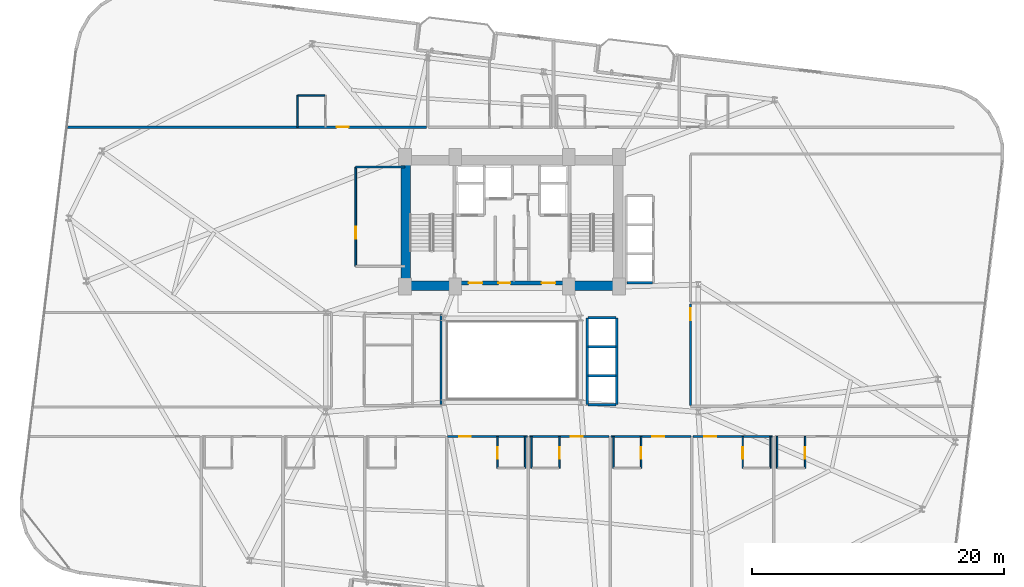
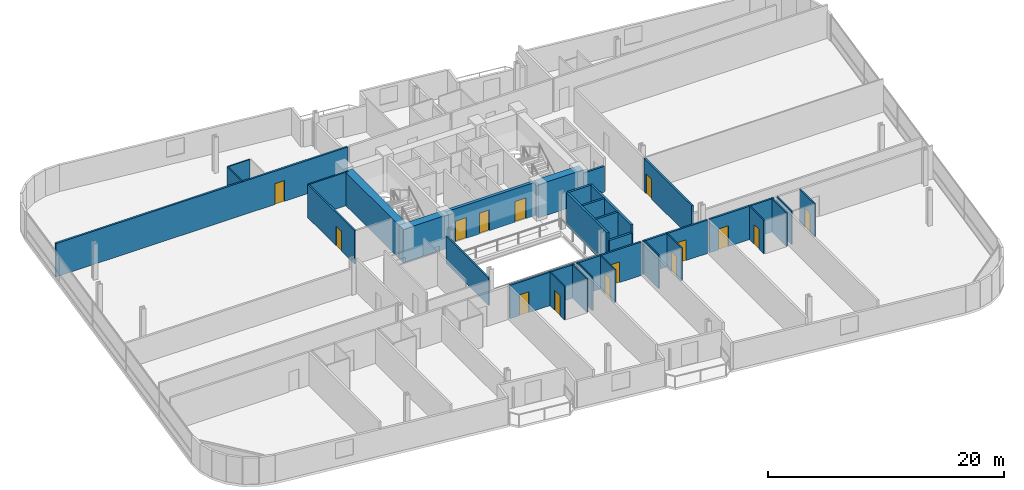
# One storey, part 21 of 26: 32 walls, 15 doors, 15 openings.
"""IFC4 building model written with IfcOpenShell, lengths in metres."""

from ifc_helpers import new_model, si_unit, direction, frame, frame_2d, origin, place, context, subcontext, project, spatial, rectangle, extrude, material, layer, layer_set, type_object, element, fill, save


model = new_model("IFC4")

# Units and contexts
model_context = context("Model", 3, precision=1e-05, world=origin(), true_north=direction((0.0, 1.0)))
body_context = subcontext(model_context, "Body", "Model", "MODEL_VIEW")
ifc_project = project(units=[si_unit("LENGTHUNIT", "METRE"), si_unit("AREAUNIT", "SQUARE_METRE"), si_unit("VOLUMEUNIT", "CUBIC_METRE"), si_unit("PLANEANGLEUNIT", "RADIAN"), si_unit("MASSUNIT", "GRAM", prefix="KILO")], contexts=[model_context])

# Site, building, storey
site_placement = place(None, origin())
site = spatial("IfcSite", under=ifc_project, at=site_placement, CompositionType="ELEMENT")
building_placement = place(site_placement, origin())
building = spatial("IfcBuilding", under=site, at=building_placement, Name="Varnelok Gate Tower", CompositionType="ELEMENT")
storey_placement = place(building_placement, frame((0.0, 0.0, 121.699951171875)))
storey = spatial("IfcBuildingStorey", under=building, at=storey_placement, Name="L30", CompositionType="ELEMENT", Elevation=121.699951171875)

# Wall, opening, door
ifc_material_1 = material(Name="Gypsum Plasterboard Acoustic Partition", Category="gypsum")
ifc_layer_1 = layer(ifc_material_1, 0.179931640625)
ifc_layer_set_1 = layer_set([ifc_layer_1], Name="Gypsum Plasterboard Acoustic Partition")
wall_type_1 = type_object("IfcWallType", Name="PW-CORR-180", PredefinedType="PARTITIONING", material=ifc_layer_set_1)
wall_1_placement = place(storey_placement, frame((34.080078125, 16.85009765625, 0.0), z_axis=(0.0, 0.0, 1.0), x_axis=(1.0, 0.0, 0.0)))
wall_1 = element("IfcWall", 1, at=wall_1_placement, inside=storey, type_object=wall_type_1, Name="Interior Partition", PredefinedType="PARTITIONING", context=body_context, shape_type="SweptSolid", body=[
    extrude(rectangle(XDim=6.33984375, YDim=0.179931640625, at=frame_2d((3.169921875, 0.0))), origin(), (0.0, 0.0, 1.0), 3.449951171875),
])
opening_1_placement = place(wall_1_placement, frame((0.90966796875, 0.0, 0.0)))
opening_1 = element("IfcOpeningElement", 2, at=opening_1_placement, cuts=wall_1, Name="Opening D-HT", PredefinedType="OPENING", context=body_context, shape_type="SweptSolid", body=[
    extrude(rectangle(XDim=0.949951171875, YDim=2.14990234375, at=frame_2d((0.47509765625, 1.074951171875))), frame((0.0, 0.099853515625, 0.0), z_axis=(0.0, -1.0, 0.0), x_axis=(1.0, 0.0, 0.0)), (0.0, 0.0, 1.0), 0.199951171875),
])
ifc_material_2 = material(Name="Engineered Hardwood Timber", Category="wood")
door_type_1 = type_object("IfcDoorType", Name="DR-HTL-950", OperationType="NOTDEFINED", PredefinedType="DOOR", material=ifc_material_2)
door_1_placement = place(opening_1_placement, origin())
door_1 = element("IfcDoor", 3, at=door_1_placement, inside=storey, type_object=door_type_1, Name="L30 Guest Room 05 Entrance Door", OperationType="SINGLE_SWING_RIGHT", OverallHeight=2.14990234375, OverallWidth=0.949951171875, PredefinedType="DOOR", context=body_context, shape_type="SweptSolid", body=[
    extrude(rectangle(XDim=0.949951171875, YDim=2.14990234375, at=frame_2d((0.47509765625, 1.074951171875))), frame((0.0, 0.02490234375, 0.0), z_axis=(0.0, -1.0, 0.0), x_axis=(1.0, 0.0, 0.0)), (0.0, 0.0, 1.0), 0.050048828125),
])
fill(opening_1, door_1)

wall_2_placement = place(storey_placement, frame((40.580078125, 16.85009765625, 0.0), z_axis=(0.0, 0.0, 1.0), x_axis=(1.0, 0.0, 0.0)))
wall_2 = element("IfcWall", 4, at=wall_2_placement, inside=storey, type_object=wall_type_1, Name="Interior Partition", PredefinedType="PARTITIONING", context=body_context, shape_type="SweptSolid", body=[
    extrude(rectangle(XDim=6.33984375, YDim=0.179931640625, at=frame_2d((3.169921875, 0.0))), origin(), (0.0, 0.0, 1.0), 3.449951171875),
])
opening_2_placement = place(wall_2_placement, frame((3.273681640625, 0.0, 0.0)))
opening_2 = element("IfcOpeningElement", 5, at=opening_2_placement, cuts=wall_2, Name="Opening D-HT", PredefinedType="OPENING", context=body_context, shape_type="SweptSolid", body=[
    extrude(rectangle(XDim=0.949951171875, YDim=2.14990234375, at=frame_2d((0.47509765625, 1.074951171875))), frame((0.0, 0.099853515625, 0.0), z_axis=(0.0, -1.0, 0.0), x_axis=(1.0, 0.0, 0.0)), (0.0, 0.0, 1.0), 0.199951171875),
])
door_2_placement = place(opening_2_placement, origin())
door_2 = element("IfcDoor", 6, at=door_2_placement, inside=storey, type_object=door_type_1, Name="L30 Guest Room 06 Entrance Door", OperationType="SINGLE_SWING_LEFT", OverallHeight=2.14990234375, OverallWidth=0.949951171875, PredefinedType="DOOR", context=body_context, shape_type="SweptSolid", body=[
    extrude(rectangle(XDim=0.949951171875, YDim=2.14990234375, at=frame_2d((0.47509765625, 1.074951171875))), frame((0.0, 0.02490234375, 0.0), z_axis=(0.0, -1.0, 0.0), x_axis=(1.0, 0.0, 0.0)), (0.0, 0.0, 1.0), 0.050048828125),
])
fill(opening_2, door_2)

wall_3_placement = place(storey_placement, frame((47.080078125, 16.85009765625, 0.0), z_axis=(0.0, 0.0, 1.0), x_axis=(1.0, 0.0, 0.0)))
wall_3 = element("IfcWall", 7, at=wall_3_placement, inside=storey, type_object=wall_type_1, Name="Interior Partition", PredefinedType="PARTITIONING", context=body_context, shape_type="SweptSolid", body=[
    extrude(rectangle(XDim=6.33984375, YDim=0.179931640625, at=frame_2d((3.169921875, 0.0))), origin(), (0.0, 0.0, 1.0), 3.449951171875),
])
opening_3_placement = place(wall_3_placement, frame((3.273681640625, 0.0, 0.0)))
opening_3 = element("IfcOpeningElement", 8, at=opening_3_placement, cuts=wall_3, Name="Opening D-HT", PredefinedType="OPENING", context=body_context, shape_type="SweptSolid", body=[
    extrude(rectangle(XDim=0.949951171875, YDim=2.14990234375, at=frame_2d((0.47509765625, 1.074951171875))), frame((0.0, 0.099853515625, 0.0), z_axis=(0.0, -1.0, 0.0), x_axis=(1.0, 0.0, 0.0)), (0.0, 0.0, 1.0), 0.199951171875),
])
door_3_placement = place(opening_3_placement, origin())
door_3 = element("IfcDoor", 9, at=door_3_placement, inside=storey, type_object=door_type_1, Name="L30 Guest Room 07 Entrance Door", OperationType="SINGLE_SWING_RIGHT", OverallHeight=2.14990234375, OverallWidth=0.949951171875, PredefinedType="DOOR", context=body_context, shape_type="SweptSolid", body=[
    extrude(rectangle(XDim=0.949951171875, YDim=2.14990234375, at=frame_2d((0.47509765625, 1.074951171875))), frame((0.0, 0.02490234375, 0.0), z_axis=(0.0, -1.0, 0.0), x_axis=(1.0, 0.0, 0.0)), (0.0, 0.0, 1.0), 0.050048828125),
])
fill(opening_3, door_3)

wall_4_placement = place(storey_placement, frame((53.580078125, 16.85009765625, 0.0), z_axis=(0.0, 0.0, 1.0), x_axis=(1.0, 0.0, 0.0)))
wall_4 = element("IfcWall", 10, at=wall_4_placement, inside=storey, type_object=wall_type_1, Name="Interior Partition", PredefinedType="PARTITIONING", context=body_context, shape_type="SweptSolid", body=[
    extrude(rectangle(XDim=6.33984375, YDim=0.179931640625, at=frame_2d((3.169921875, 0.0))), origin(), (0.0, 0.0, 1.0), 3.449951171875),
])
opening_4_placement = place(wall_4_placement, frame((0.90966796875, 0.0, 0.0)))
opening_4 = element("IfcOpeningElement", 11, at=opening_4_placement, cuts=wall_4, Name="Opening D-HT", PredefinedType="OPENING", context=body_context, shape_type="SweptSolid", body=[
    extrude(rectangle(XDim=0.949951171875, YDim=2.14990234375, at=frame_2d((0.47509765625, 1.074951171875))), frame((0.0, 0.099853515625, 0.0), z_axis=(0.0, -1.0, 0.0), x_axis=(1.0, 0.0, 0.0)), (0.0, 0.0, 1.0), 0.199951171875),
])
door_4_placement = place(opening_4_placement, origin())
door_4 = element("IfcDoor", 12, at=door_4_placement, inside=storey, type_object=door_type_1, Name="L30 Guest Room 08 Entrance Door", OperationType="SINGLE_SWING_LEFT", OverallHeight=2.14990234375, OverallWidth=0.949951171875, PredefinedType="DOOR", context=body_context, shape_type="SweptSolid", body=[
    extrude(rectangle(XDim=0.949951171875, YDim=2.14990234375, at=frame_2d((0.47509765625, 1.074951171875))), frame((0.0, 0.02490234375, 0.0), z_axis=(0.0, -1.0, 0.0), x_axis=(1.0, 0.0, 0.0)), (0.0, 0.0, 1.0), 0.050048828125),
])
fill(opening_4, door_4)

wall_5_placement = place(storey_placement, frame((3.864013671875, 41.429931640625, 0.0), z_axis=(0.0, 0.0, 1.0), x_axis=(1.0, 0.0, 0.0)))
wall_5 = element("IfcWall", 13, at=wall_5_placement, inside=storey, type_object=wall_type_1, Name="Interior Partition", PredefinedType="PARTITIONING", context=body_context, shape_type="SweptSolid", body=[
    extrude(rectangle(XDim=28.555908203125, YDim=0.179931640625, at=frame_2d((14.27783203125, 0.0))), origin(), (0.0, 0.0, 1.0), 3.449951171875),
])
opening_5_placement = place(wall_5_placement, frame((21.4091796875, 0.0, 0.0)))
opening_5 = element("IfcOpeningElement", 14, at=opening_5_placement, cuts=wall_5, Name="Opening D-HT", PredefinedType="OPENING", context=body_context, shape_type="SweptSolid", body=[
    extrude(rectangle(XDim=0.949951171875, YDim=2.14990234375, at=frame_2d((0.47509765625, 1.074951171875))), frame((0.0, 0.099853515625, 0.0), z_axis=(0.0, -1.0, 0.0), x_axis=(1.0, 0.0, 0.0)), (0.0, 0.0, 1.0), 0.199951171875),
])
door_5_placement = place(opening_5_placement, origin())
door_5 = element("IfcDoor", 15, at=door_5_placement, inside=storey, type_object=door_type_1, Name="L30 Guest Room 10 Entrance Door", OperationType="SINGLE_SWING_LEFT", OverallHeight=2.14990234375, OverallWidth=0.949951171875, PredefinedType="DOOR", context=body_context, shape_type="SweptSolid", body=[
    extrude(rectangle(XDim=0.949951171875, YDim=2.14990234375, at=frame_2d((0.47509765625, 1.074951171875))), frame((0.0, 0.02490234375, 0.0), z_axis=(0.0, -1.0, 0.0), x_axis=(1.0, 0.0, 0.0)), (0.0, 0.0, 1.0), 0.050048828125),
])
fill(opening_5, door_5)

wall_6_placement = place(storey_placement, frame((53.389892578125, 19.300048828125, 0.0), z_axis=(0.0, 0.0, 1.0), x_axis=(0.0, 1.0, 0.0)))
wall_6 = element("IfcWall", 16, at=wall_6_placement, inside=storey, type_object=wall_type_1, Name="Interior Partition", PredefinedType="PARTITIONING", context=body_context, shape_type="SweptSolid", body=[
    extrude(rectangle(XDim=8.070068359375, YDim=0.179931640625, at=frame_2d((4.03515625, 0.0))), origin(), (0.0, 0.0, 1.0), 3.449951171875),
])
opening_6_placement = place(wall_6_placement, frame((6.800048828125, 0.0, 0.0)))
opening_6 = element("IfcOpeningElement", 17, at=opening_6_placement, cuts=wall_6, Name="Opening D-I3", PredefinedType="OPENING", context=body_context, shape_type="SweptSolid", body=[
    extrude(rectangle(XDim=0.919921875, YDim=2.050048828125, at=frame_2d((0.4599609375, 1.02490234375))), frame((0.0, 0.099853515625, 0.0), z_axis=(0.0, -1.0, 0.0), x_axis=(1.0, 0.0, 0.0)), (0.0, 0.0, 1.0), 0.199951171875),
])
door_type_2 = type_object("IfcDoorType", Name="DR-INT-920", OperationType="NOTDEFINED", PredefinedType="DOOR", material=ifc_material_2)
door_6_placement = place(opening_6_placement, origin())
door_6 = element("IfcDoor", 18, at=door_6_placement, inside=storey, type_object=door_type_2, Name="L30 East Suite 1 Door", OperationType="SINGLE_SWING_LEFT", OverallHeight=2.050048828125, OverallWidth=0.919921875, PredefinedType="DOOR", context=body_context, shape_type="SweptSolid", body=[
    extrude(rectangle(XDim=0.919921875, YDim=2.050048828125, at=frame_2d((0.4599609375, 1.02490234375))), frame((0.0, 0.02490234375, 0.0), z_axis=(0.0, -1.0, 0.0), x_axis=(1.0, 0.0, 0.0)), (0.0, 0.0, 1.0), 0.050048828125),
])
fill(opening_6, door_6)

ifc_layer_2 = layer(ifc_material_1, 0.114990234375)
ifc_layer_set_2 = layer_set([ifc_layer_2], Name="Gypsum Plasterboard Acoustic Partition")
wall_type_2 = type_object("IfcWallType", Name="PW-ENS-125", PredefinedType="PARTITIONING", material=ifc_layer_set_2)
wall_7_placement = place(storey_placement, frame((38.035888671875, 14.330078125, 0.0), z_axis=(0.0, 0.0, 1.0), x_axis=(0.0, 1.0, 0.0)))
wall_7 = element("IfcWall", 19, at=wall_7_placement, inside=storey, type_object=wall_type_2, Name="Interior Partition", PredefinedType="PARTITIONING", context=body_context, shape_type="SweptSolid", body=[
    extrude(rectangle(XDim=2.52001953125, YDim=0.114990234375, at=frame_2d((1.260009765625, 0.0))), origin(), (0.0, 0.0, 1.0), 3.449951171875),
])
opening_7_placement = place(wall_7_placement, frame((0.760009765625, 0.0, 0.0)))
opening_7 = element("IfcOpeningElement", 20, at=opening_7_placement, cuts=wall_7, Name="Opening D-WC", PredefinedType="OPENING", context=body_context, shape_type="SweptSolid", body=[
    extrude(rectangle(XDim=0.89990234375, YDim=2.050048828125, at=frame_2d((0.449951171875, 1.02490234375))), frame((0.0, 0.0673828125, 0.0), z_axis=(0.0, -1.0, 0.0), x_axis=(1.0, 0.0, 0.0)), (0.0, 0.0, 1.0), 0.135009765625),
])
door_type_3 = type_object("IfcDoorType", Name="DR-BATH-900", OperationType="NOTDEFINED", PredefinedType="DOOR", material=ifc_material_2)
door_7_placement = place(opening_7_placement, origin())
door_7 = element("IfcDoor", 21, at=door_7_placement, inside=storey, type_object=door_type_3, Name="L30 Guest En-Suite 05 Door", OperationType="SINGLE_SWING_RIGHT", OverallHeight=2.050048828125, OverallWidth=0.89990234375, PredefinedType="DOOR", context=body_context, shape_type="SweptSolid", body=[
    extrude(rectangle(XDim=0.89990234375, YDim=2.050048828125, at=frame_2d((0.449951171875, 1.02490234375))), frame((0.0, 0.02490234375, 0.0), z_axis=(0.0, -1.0, 0.0), x_axis=(1.0, 0.0, 0.0)), (0.0, 0.0, 1.0), 0.050048828125),
])
fill(opening_7, door_7)

# Wall
wall_8_placement = place(storey_placement, frame((40.239990234375, 14.330078125, 0.0), z_axis=(0.0, 0.0, 1.0), x_axis=(0.0, 1.0, 0.0)))
element("IfcWall", 22, at=wall_8_placement, inside=storey, type_object=wall_type_2, Name="Interior Partition", PredefinedType="PARTITIONING", context=body_context, shape_type="SweptSolid", body=[
    extrude(rectangle(XDim=2.52001953125, YDim=0.114990234375, at=frame_2d((1.260009765625, 0.0))), origin(), (0.0, 0.0, 1.0), 3.449951171875),
])

# Wall, opening, door
wall_9_placement = place(storey_placement, frame((42.964111328125, 14.330078125, 0.0), z_axis=(0.0, 0.0, 1.0), x_axis=(0.0, 1.0, 0.0)))
wall_9 = element("IfcWall", 23, at=wall_9_placement, inside=storey, type_object=wall_type_2, Name="Interior Partition", PredefinedType="PARTITIONING", context=body_context, shape_type="SweptSolid", body=[
    extrude(rectangle(XDim=2.52001953125, YDim=0.114990234375, at=frame_2d((1.260009765625, 0.0))), origin(), (0.0, 0.0, 1.0), 3.449951171875),
])
opening_8_placement = place(wall_9_placement, frame((0.760009765625, 0.0, 0.0)))
opening_8 = element("IfcOpeningElement", 24, at=opening_8_placement, cuts=wall_9, Name="Opening D-WC", PredefinedType="OPENING", context=body_context, shape_type="SweptSolid", body=[
    extrude(rectangle(XDim=0.89990234375, YDim=2.050048828125, at=frame_2d((0.449951171875, 1.02490234375))), frame((0.0, 0.0673828125, 0.0), z_axis=(0.0, -1.0, 0.0), x_axis=(1.0, 0.0, 0.0)), (0.0, 0.0, 1.0), 0.135009765625),
])
door_8_placement = place(opening_8_placement, origin())
door_8 = element("IfcDoor", 25, at=door_8_placement, inside=storey, type_object=door_type_3, Name="L30 Guest En-Suite 06 Door", OperationType="SINGLE_SWING_LEFT", OverallHeight=2.050048828125, OverallWidth=0.89990234375, PredefinedType="DOOR", context=body_context, shape_type="SweptSolid", body=[
    extrude(rectangle(XDim=0.89990234375, YDim=2.050048828125, at=frame_2d((0.449951171875, 1.02490234375))), frame((0.0, 0.02490234375, 0.0), z_axis=(0.0, -1.0, 0.0), x_axis=(1.0, 0.0, 0.0)), (0.0, 0.0, 1.0), 0.050048828125),
])
fill(opening_8, door_8)

# Wall
wall_10_placement = place(storey_placement, frame((40.760009765625, 14.330078125, 0.0), z_axis=(0.0, 0.0, 1.0), x_axis=(0.0, 1.0, 0.0)))
element("IfcWall", 26, at=wall_10_placement, inside=storey, type_object=wall_type_2, Name="Interior Partition", PredefinedType="PARTITIONING", context=body_context, shape_type="SweptSolid", body=[
    extrude(rectangle(XDim=2.52001953125, YDim=0.114990234375, at=frame_2d((1.260009765625, 0.0))), origin(), (0.0, 0.0, 1.0), 3.449951171875),
])

# Wall, opening, door
wall_11_placement = place(storey_placement, frame((49.464111328125, 14.330078125, 0.0), z_axis=(0.0, 0.0, 1.0), x_axis=(0.0, 1.0, 0.0)))
wall_11 = element("IfcWall", 27, at=wall_11_placement, inside=storey, type_object=wall_type_2, Name="Interior Partition", PredefinedType="PARTITIONING", context=body_context, shape_type="SweptSolid", body=[
    extrude(rectangle(XDim=2.52001953125, YDim=0.114990234375, at=frame_2d((1.260009765625, 0.0))), origin(), (0.0, 0.0, 1.0), 3.449951171875),
])
opening_9_placement = place(wall_11_placement, frame((0.760009765625, 0.0, 0.0)))
opening_9 = element("IfcOpeningElement", 28, at=opening_9_placement, cuts=wall_11, Name="Opening D-WC", PredefinedType="OPENING", context=body_context, shape_type="SweptSolid", body=[
    extrude(rectangle(XDim=0.89990234375, YDim=2.050048828125, at=frame_2d((0.449951171875, 1.02490234375))), frame((0.0, 0.0673828125, 0.0), z_axis=(0.0, -1.0, 0.0), x_axis=(1.0, 0.0, 0.0)), (0.0, 0.0, 1.0), 0.135009765625),
])
door_9_placement = place(opening_9_placement, origin())
door_9 = element("IfcDoor", 29, at=door_9_placement, inside=storey, type_object=door_type_3, Name="L30 Guest En-Suite 07 Door", OperationType="SINGLE_SWING_LEFT", OverallHeight=2.050048828125, OverallWidth=0.89990234375, PredefinedType="DOOR", context=body_context, shape_type="SweptSolid", body=[
    extrude(rectangle(XDim=0.89990234375, YDim=2.050048828125, at=frame_2d((0.449951171875, 1.02490234375))), frame((0.0, 0.02490234375, 0.0), z_axis=(0.0, -1.0, 0.0), x_axis=(1.0, 0.0, 0.0)), (0.0, 0.0, 1.0), 0.050048828125),
])
fill(opening_9, door_9)

# Wall
wall_12_placement = place(storey_placement, frame((47.260009765625, 14.330078125, 0.0), z_axis=(0.0, 0.0, 1.0), x_axis=(0.0, 1.0, 0.0)))
element("IfcWall", 30, at=wall_12_placement, inside=storey, type_object=wall_type_2, Name="Interior Partition", PredefinedType="PARTITIONING", context=body_context, shape_type="SweptSolid", body=[
    extrude(rectangle(XDim=2.52001953125, YDim=0.114990234375, at=frame_2d((1.260009765625, 0.0))), origin(), (0.0, 0.0, 1.0), 3.449951171875),
])

# Wall, opening, door
wall_13_placement = place(storey_placement, frame((57.535888671875, 14.330078125, 0.0), z_axis=(0.0, 0.0, 1.0), x_axis=(0.0, 1.0, 0.0)))
wall_13 = element("IfcWall", 31, at=wall_13_placement, inside=storey, type_object=wall_type_2, Name="Interior Partition", PredefinedType="PARTITIONING", context=body_context, shape_type="SweptSolid", body=[
    extrude(rectangle(XDim=2.52001953125, YDim=0.114990234375, at=frame_2d((1.260009765625, 0.0))), origin(), (0.0, 0.0, 1.0), 3.449951171875),
])
opening_10_placement = place(wall_13_placement, frame((0.760009765625, 0.0, 0.0)))
opening_10 = element("IfcOpeningElement", 32, at=opening_10_placement, cuts=wall_13, Name="Opening D-WC", PredefinedType="OPENING", context=body_context, shape_type="SweptSolid", body=[
    extrude(rectangle(XDim=0.89990234375, YDim=2.050048828125, at=frame_2d((0.449951171875, 1.02490234375))), frame((0.0, 0.0673828125, 0.0), z_axis=(0.0, -1.0, 0.0), x_axis=(1.0, 0.0, 0.0)), (0.0, 0.0, 1.0), 0.135009765625),
])
door_10_placement = place(opening_10_placement, origin())
door_10 = element("IfcDoor", 33, at=door_10_placement, inside=storey, type_object=door_type_3, Name="L30 Guest En-Suite 08 Door", OperationType="SINGLE_SWING_RIGHT", OverallHeight=2.050048828125, OverallWidth=0.89990234375, PredefinedType="DOOR", context=body_context, shape_type="SweptSolid", body=[
    extrude(rectangle(XDim=0.89990234375, YDim=2.050048828125, at=frame_2d((0.449951171875, 1.02490234375))), frame((0.0, 0.02490234375, 0.0), z_axis=(0.0, -1.0, 0.0), x_axis=(1.0, 0.0, 0.0)), (0.0, 0.0, 1.0), 0.050048828125),
])
fill(opening_10, door_10)

# Wall
wall_14_placement = place(storey_placement, frame((59.739990234375, 14.330078125, 0.0), z_axis=(0.0, 0.0, 1.0), x_axis=(0.0, 1.0, 0.0)))
element("IfcWall", 34, at=wall_14_placement, inside=storey, type_object=wall_type_2, Name="Interior Partition", PredefinedType="PARTITIONING", context=body_context, shape_type="SweptSolid", body=[
    extrude(rectangle(XDim=2.52001953125, YDim=0.114990234375, at=frame_2d((1.260009765625, 0.0))), origin(), (0.0, 0.0, 1.0), 3.449951171875),
])

# Wall, opening, door
wall_15_placement = place(storey_placement, frame((62.489990234375, 14.330078125, 0.0), z_axis=(0.0, 0.0, 1.0), x_axis=(0.0, 1.0, 0.0)))
wall_15 = element("IfcWall", 35, at=wall_15_placement, inside=storey, type_object=wall_type_2, Name="Interior Partition", PredefinedType="PARTITIONING", context=body_context, shape_type="SweptSolid", body=[
    extrude(rectangle(XDim=2.52001953125, YDim=0.114990234375, at=frame_2d((1.260009765625, 0.0))), origin(), (0.0, 0.0, 1.0), 3.449951171875),
])
opening_11_placement = place(wall_15_placement, frame((0.760009765625, 0.0, 0.0)))
opening_11 = element("IfcOpeningElement", 36, at=opening_11_placement, cuts=wall_15, Name="Opening D-WC", PredefinedType="OPENING", context=body_context, shape_type="SweptSolid", body=[
    extrude(rectangle(XDim=0.89990234375, YDim=2.050048828125, at=frame_2d((0.449951171875, 1.02490234375))), frame((0.0, 0.0673828125, 0.0), z_axis=(0.0, -1.0, 0.0), x_axis=(1.0, 0.0, 0.0)), (0.0, 0.0, 1.0), 0.135009765625),
])
door_11_placement = place(opening_11_placement, origin())
door_11 = element("IfcDoor", 37, at=door_11_placement, inside=storey, type_object=door_type_3, Name="L30 Guest En-Suite 09 Door", OperationType="SINGLE_SWING_LEFT", OverallHeight=2.050048828125, OverallWidth=0.89990234375, PredefinedType="DOOR", context=body_context, shape_type="SweptSolid", body=[
    extrude(rectangle(XDim=0.89990234375, YDim=2.050048828125, at=frame_2d((0.449951171875, 1.02490234375))), frame((0.0, 0.02490234375, 0.0), z_axis=(0.0, -1.0, 0.0), x_axis=(1.0, 0.0, 0.0)), (0.0, 0.0, 1.0), 0.050048828125),
])
fill(opening_11, door_11)

# Walls
wall_16_placement = place(storey_placement, frame((60.260009765625, 14.330078125, 0.0), z_axis=(0.0, 0.0, 1.0), x_axis=(0.0, 1.0, 0.0)))
element("IfcWall", 38, at=wall_16_placement, inside=storey, type_object=wall_type_2, Name="Interior Partition", PredefinedType="PARTITIONING", context=body_context, shape_type="SweptSolid", body=[
    extrude(rectangle(XDim=2.52001953125, YDim=0.114990234375, at=frame_2d((1.260009765625, 0.0))), origin(), (0.0, 0.0, 1.0), 3.449951171875),
])
wall_17_placement = place(storey_placement, frame((22.179931640625, 43.949951171875, 0.0), z_axis=(0.0, 0.0, 1.0), x_axis=(1.0, 0.0, 0.0)))
element("IfcWall", 39, at=wall_17_placement, inside=storey, type_object=wall_type_2, Name="Interior Partition", PredefinedType="PARTITIONING", context=body_context, shape_type="SweptSolid", body=[
    extrude(rectangle(XDim=2.150146484375, YDim=0.114990234375, at=frame_2d((1.0751953125, 0.0))), origin(), (0.0, 0.0, 1.0), 3.449951171875),
])
wall_18_placement = place(storey_placement, frame((22.139892578125, 41.429931640625, 0.0), z_axis=(0.0, 0.0, 1.0), x_axis=(0.0, 1.0, 0.0)))
element("IfcWall", 40, at=wall_18_placement, inside=storey, type_object=wall_type_2, Name="Interior Partition", PredefinedType="PARTITIONING", context=body_context, shape_type="SweptSolid", body=[
    extrude(rectangle(XDim=2.52001953125, YDim=0.114990234375, at=frame_2d((1.260009765625, 0.0))), origin(), (0.0, 0.0, 1.0), 3.449951171875),
])
ifc_layer_3 = layer(ifc_material_1, 0.14990234375)
ifc_layer_set_3 = layer_set([ifc_layer_3], Name="Gypsum Plasterboard Acoustic Partition")
wall_type_3 = type_object("IfcWallType", Name="PW-PART-150", PredefinedType="PARTITIONING", material=ifc_layer_set_3)
wall_19_placement = place(storey_placement, frame((33.56005859375, 19.3798828125, 0.0), z_axis=(0.0, 0.0, 1.0), x_axis=(0.0, 1.0, 0.0)))
element("IfcWall", 41, at=wall_19_placement, inside=storey, type_object=wall_type_3, Name="Interior Partition", PredefinedType="PARTITIONING", context=body_context, shape_type="SweptSolid", body=[
    extrude(rectangle(XDim=7.16015625, YDim=0.14990234375, at=frame_2d((3.580078125, 0.0))), origin(), (0.0, 0.0, 1.0), 2.823974609375),
])
wall_20_placement = place(storey_placement, frame((26.780029296875, 38.260009765625, 0.0), z_axis=(0.0, 0.0, 1.0), x_axis=(1.0, 0.0, 0.0)))
element("IfcWall", 42, at=wall_20_placement, inside=storey, type_object=wall_type_3, Name="Interior Partition", PredefinedType="PARTITIONING", context=body_context, shape_type="SweptSolid", body=[
    extrude(rectangle(XDim=3.89990234375, YDim=0.14990234375, at=frame_2d((1.949951171875, 0.0))), origin(), (0.0, 0.0, 1.0), 3.449951171875),
])

# Wall, opening, door
wall_21_placement = place(storey_placement, frame((26.780029296875, 30.360107421875, 0.0), z_axis=(0.0, 0.0, 1.0), x_axis=(0.0, 1.0, 0.0)))
wall_21 = element("IfcWall", 43, at=wall_21_placement, inside=storey, type_object=wall_type_3, Name="Interior Partition", PredefinedType="PARTITIONING", context=body_context, shape_type="SweptSolid", body=[
    extrude(rectangle(XDim=7.89990234375, YDim=0.14990234375, at=frame_2d((3.949951171875, 0.0))), origin(), (0.0, 0.0, 1.0), 3.449951171875),
])
opening_12_placement = place(wall_21_placement, frame((2.199951171875, 0.0, 0.0)))
opening_12 = element("IfcOpeningElement", 44, at=opening_12_placement, cuts=wall_21, Name="Opening D-I2", PredefinedType="OPENING", context=body_context, shape_type="SweptSolid", body=[
    extrude(rectangle(XDim=0.949951171875, YDim=2.050048828125, at=frame_2d((0.47509765625, 1.02490234375))), frame((0.0, 0.0849609375, 0.0), z_axis=(0.0, -1.0, 0.0), x_axis=(1.0, 0.0, 0.0)), (0.0, 0.0, 1.0), 0.169921875),
])
door_type_4 = type_object("IfcDoorType", Name="DR-INT-950", OperationType="NOTDEFINED", PredefinedType="DOOR", material=ifc_material_2)
door_12_placement = place(opening_12_placement, origin())
door_12 = element("IfcDoor", 45, at=door_12_placement, inside=storey, type_object=door_type_4, Name="L30 Core Valet Door", OperationType="SINGLE_SWING_RIGHT", OverallHeight=2.050048828125, OverallWidth=0.949951171875, PredefinedType="DOOR", context=body_context, shape_type="SweptSolid", body=[
    extrude(rectangle(XDim=0.949951171875, YDim=2.050048828125, at=frame_2d((0.47509765625, 1.02490234375))), frame((0.0, 0.02490234375, 0.0), z_axis=(0.0, -1.0, 0.0), x_axis=(1.0, 0.0, 0.0)), (0.0, 0.0, 1.0), 0.050048828125),
])
fill(opening_12, door_12)

# Walls
ifc_material_3 = material(Name="Concrete C35/45", Category="concrete")
ifc_layer_4 = layer(ifc_material_3, 0.199951171875)
ifc_layer_set_4 = layer_set([ifc_layer_4], Name="Concrete C35/45")
wall_type_4 = type_object("IfcWallType", Name="PW-SHAFT-200", PredefinedType="PARTITIONING", material=ifc_layer_set_4)
wall_22_placement = place(storey_placement, frame((48.320068359375, 29.080078125, 0.0), z_axis=(0.0, 0.0, 1.0), x_axis=(1.0, 0.0, 0.0)))
element("IfcWall", 46, at=wall_22_placement, inside=storey, type_object=wall_type_4, Name="L30 PM Bank South Wall", PredefinedType="PARTITIONING", context=body_context, shape_type="SweptSolid", body=[
    extrude(rectangle(XDim=2.059814453125, YDim=0.199951171875, at=frame_2d((1.02978515625, 0.0))), origin(), (0.0, 0.0, 1.0), 2.662109375),
])
for number, where, z_axis, x_axis, name in (
    (47, (45.239990234375, 21.675048828125, 0.0), (0.0, 0.0, 1.0), (1.0, 0.0, 0.0), "L30 PH1 Divider"),
    (48, (45.239990234375, 23.97509765625, 0.0), (0.0, 0.0, 1.0), (1.0, 0.0, 0.0), "L30 PH2 Divider"),
):
    element("IfcWall", number, at=place(storey_placement, frame(where, z_axis=z_axis, x_axis=x_axis)), inside=storey, type_object=wall_type_4, Name=name, PredefinedType="PARTITIONING", context=body_context, shape_type="SweptSolid", body=[
        extrude(rectangle(XDim=2.219970703125, YDim=0.199951171875, at=frame_2d((1.10986328125, 0.0))), origin(), (0.0, 0.0, 1.0), 3.449951171875),
    ])
wall_23_placement = place(storey_placement, frame((45.239990234375, 19.3798828125, 0.0), z_axis=(0.0, 0.0, 1.0), x_axis=(1.0, 0.0, 0.0)))
element("IfcWall", 49, at=wall_23_placement, inside=storey, type_object=wall_type_4, Name="L30 PH Bank South Wall", PredefinedType="PARTITIONING", context=body_context, shape_type="SweptSolid", body=[
    extrude(rectangle(XDim=2.219970703125, YDim=0.199951171875, at=frame_2d((1.10986328125, 0.0))), origin(), (0.0, 0.0, 1.0), 2.662109375),
])
wall_24_placement = place(storey_placement, frame((45.239990234375, 26.280029296875, 0.0), z_axis=(0.0, 0.0, 1.0), x_axis=(1.0, 0.0, 0.0)))
element("IfcWall", 50, at=wall_24_placement, inside=storey, type_object=wall_type_4, Name="L30 PH Bank North Wall", PredefinedType="PARTITIONING", context=body_context, shape_type="SweptSolid", body=[
    extrude(rectangle(XDim=2.219970703125, YDim=0.199951171875, at=frame_2d((1.10986328125, 0.0))), origin(), (0.0, 0.0, 1.0), 3.449951171875),
])
for number, where, z_axis, x_axis, name in (
    (51, (45.179931640625, 19.3798828125, 0.0), (0.0, 0.0, 1.0), (0.0, 1.0, 0.0), "L30 PH Bank Atrium Wall"),
    (52, (47.52001953125, 19.3798828125, 0.0), (0.0, 0.0, 1.0), (0.0, 1.0, 0.0), "L30 PH Bank Front Wall"),
):
    element("IfcWall", number, at=place(storey_placement, frame(where, z_axis=z_axis, x_axis=x_axis)), inside=storey, type_object=wall_type_4, Name=name, PredefinedType="PARTITIONING", context=body_context, shape_type="SweptSolid", body=[
        extrude(rectangle(XDim=6.900146484375, YDim=0.199951171875, at=frame_2d((3.4501953125, 0.0))), origin(), (0.0, 0.0, 1.0), 3.449951171875),
    ])
ifc_material_4 = material(Name="Concrete C70/85", Category="concrete")
ifc_layer_5 = layer(ifc_material_4, 0.75)
ifc_layer_set_5 = layer_set([ifc_layer_5], Name="Concrete C70/85")
wall_type_5 = type_object("IfcWallType", Name="SW-CORE-750", PredefinedType="SHEAR", material=ifc_layer_set_5)
wall_25_placement = place(storey_placement, frame((30.7548828125, 29.199951171875, 0.0), z_axis=(0.0, 0.0, 1.0), x_axis=(0.0, 1.0, 0.0)))
element("IfcWall", 53, at=wall_25_placement, inside=storey, type_object=wall_type_5, Name="L30 Rear Core West Shear Wall", PredefinedType="SHEAR", context=body_context, shape_type="SweptSolid", body=[
    extrude(rectangle(XDim=9.219970703125, YDim=0.75, at=frame_2d((4.60986328125, 0.0))), origin(), (0.0, 0.0, 1.0), 3.449951171875),
])
wall_26_placement = place(storey_placement, frame((30.3798828125, 28.824951171875, 0.0), z_axis=(0.0, 0.0, 1.0), x_axis=(1.0, 0.0, 0.0)))
element("IfcWall", 54, at=wall_26_placement, inside=storey, type_object=wall_type_5, Name="L30 Rear Core South-West Shear Wall", PredefinedType="SHEAR", context=body_context, shape_type="SweptSolid", body=[
    extrude(rectangle(XDim=4.420166015625, YDim=0.75, at=frame_2d((2.2099609375, 0.0))), origin(), (0.0, 0.0, 1.0), 3.449951171875),
])
wall_27_placement = place(storey_placement, frame((43.60009765625, 28.824951171875, 0.0), z_axis=(0.0, 0.0, 1.0), x_axis=(1.0, 0.0, 0.0)))
element("IfcWall", 55, at=wall_27_placement, inside=storey, type_object=wall_type_5, Name="L30 Rear Core South-East Shear Wall", PredefinedType="SHEAR", context=body_context, shape_type="SweptSolid", body=[
    extrude(rectangle(XDim=4.419921875, YDim=0.75, at=frame_2d((2.2099609375, 0.0))), origin(), (0.0, 0.0, 1.0), 3.449951171875),
])

# Wall, openings, doors
ifc_material_5 = material(Name="Concrete C60/75", Category="concrete")
ifc_layer_6 = layer(ifc_material_5, 0.300048828125)
ifc_layer_set_6 = layer_set([ifc_layer_6], Name="Concrete C60/75")
wall_type_6 = type_object("IfcWallType", Name="SW-SHAFT-300", PredefinedType="SHEAR", material=ifc_layer_set_6)
wall_28_placement = place(storey_placement, frame((34.800048828125, 29.050048828125, 0.0), z_axis=(0.0, 0.0, 1.0), x_axis=(1.0, 0.0, 0.0)))
wall_28 = element("IfcWall", 56, at=wall_28_placement, inside=storey, type_object=wall_type_6, Name="L30 Rear Core Central Lobby Shear Wall", PredefinedType="SHEAR", context=body_context, shape_type="SweptSolid", body=[
    extrude(rectangle(XDim=8.800048828125, YDim=0.300048828125, at=frame_2d((4.39990234375, 0.0))), origin(), (0.0, 0.0, 1.0), 3.449951171875),
])
opening_13_placement = place(wall_28_placement, frame((0.949951171875, 0.0, 0.0)))
opening_13 = element("IfcOpeningElement", 57, at=opening_13_placement, cuts=wall_28, Name="Opening D-FF", PredefinedType="OPENING", context=body_context, shape_type="SweptSolid", body=[
    extrude(rectangle(XDim=1.10009765625, YDim=2.14990234375, at=frame_2d((0.550048828125, 1.074951171875))), frame((0.0, 0.159912109375, 0.0), z_axis=(0.0, -1.0, 0.0), x_axis=(1.0, 0.0, 0.0)), (0.0, 0.0, 1.0), 0.320068359375),
])
opening_14_placement = place(wall_28_placement, frame((6.75, 0.0, 0.0)))
opening_14 = element("IfcOpeningElement", 58, at=opening_14_placement, cuts=wall_28, Name="Opening D-FF", PredefinedType="OPENING", context=body_context, shape_type="SweptSolid", body=[
    extrude(rectangle(XDim=1.10009765625, YDim=2.14990234375, at=frame_2d((0.550048828125, 1.074951171875))), frame((0.0, 0.159912109375, 0.0), z_axis=(0.0, -1.0, 0.0), x_axis=(1.0, 0.0, 0.0)), (0.0, 0.0, 1.0), 0.320068359375),
])
opening_15_placement = place(wall_28_placement, frame((3.320068359375, 0.0, 0.0)))
opening_15 = element("IfcOpeningElement", 59, at=opening_15_placement, cuts=wall_28, Name="Opening D-CR", PredefinedType="OPENING", context=body_context, shape_type="SweptSolid", body=[
    extrude(rectangle(XDim=0.949951171875, YDim=2.14990234375, at=frame_2d((0.47509765625, 1.074951171875))), frame((0.0, 0.159912109375, 0.0), z_axis=(0.0, -1.0, 0.0), x_axis=(1.0, 0.0, 0.0)), (0.0, 0.0, 1.0), 0.320068359375),
])
ifc_material_6 = material(Name="Galvanized Steel Grade S350GD", Category="steel")
door_type_5 = type_object("IfcDoorType", Name="DR-CORR-950", OperationType="NOTDEFINED", PredefinedType="DOOR", material=ifc_material_6)
door_13_placement = place(opening_15_placement, origin())
door_13 = element("IfcDoor", 60, at=door_13_placement, inside=storey, type_object=door_type_5, Name="L30 Core Service Passage Door", OperationType="SINGLE_SWING_LEFT", OverallHeight=2.14990234375, OverallWidth=0.949951171875, PredefinedType="DOOR", context=body_context, shape_type="SweptSolid", body=[
    extrude(rectangle(XDim=0.949951171875, YDim=2.14990234375, at=frame_2d((0.47509765625, 1.074951171875))), frame((0.0, 0.02490234375, 0.0), z_axis=(0.0, -1.0, 0.0), x_axis=(1.0, 0.0, 0.0)), (0.0, 0.0, 1.0), 0.050048828125),
])
fill(opening_15, door_13)
door_type_6 = type_object("IfcDoorType", Name="DR-FFLOB-1100", OperationType="NOTDEFINED", PredefinedType="DOOR", material=ifc_material_6)
door_14_placement = place(opening_13_placement, origin())
door_14 = element("IfcDoor", 61, at=door_14_placement, inside=storey, type_object=door_type_6, Name="L30 West Firefighting Lobby Fire Door", OperationType="SINGLE_SWING_RIGHT", OverallHeight=2.14990234375, OverallWidth=1.10009765625, PredefinedType="DOOR", context=body_context, shape_type="SweptSolid", body=[
    extrude(rectangle(XDim=1.10009765625, YDim=2.14990234375, at=frame_2d((0.550048828125, 1.074951171875))), frame((0.0, 0.02490234375, 0.0), z_axis=(0.0, -1.0, 0.0), x_axis=(1.0, 0.0, 0.0)), (0.0, 0.0, 1.0), 0.050048828125),
])
fill(opening_13, door_14)
door_15_placement = place(opening_14_placement, origin())
door_15 = element("IfcDoor", 62, at=door_15_placement, inside=storey, type_object=door_type_6, Name="L30 East Firefighting Lobby Fire Door", OperationType="SINGLE_SWING_LEFT", OverallHeight=2.14990234375, OverallWidth=1.10009765625, PredefinedType="DOOR", context=body_context, shape_type="SweptSolid", body=[
    extrude(rectangle(XDim=1.10009765625, YDim=2.14990234375, at=frame_2d((0.550048828125, 1.074951171875))), frame((0.0, 0.02490234375, 0.0), z_axis=(0.0, -1.0, 0.0), x_axis=(1.0, 0.0, 0.0)), (0.0, 0.0, 1.0), 0.050048828125),
])
fill(opening_14, door_15)

save(model, "model.ifc")
